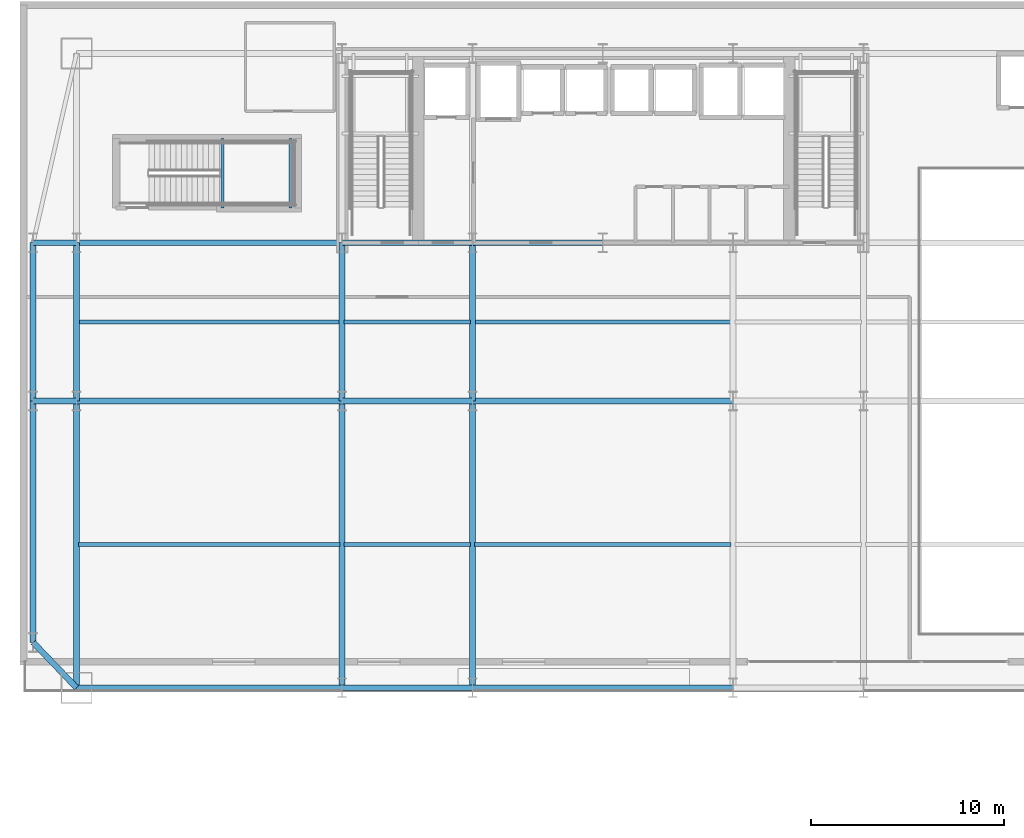
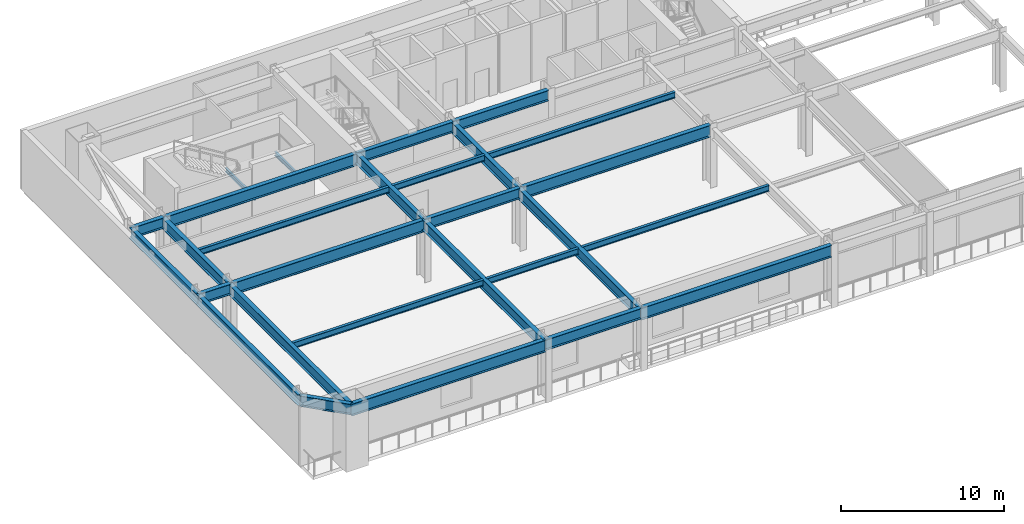
# One storey, part 3 of 35: 28 beams.
"""IFC4 building model written with IfcOpenShell, lengths in metres."""

from ifc_helpers import new_model, si_unit, direction, frame, origin, origin_2d, place, context, subcontext, project, spatial, i_section, extrude, material, material_profile, profile_set, type_object, element, save


model = new_model("IFC4")

# Units and contexts
model_context = context("Model", 3, precision=1e-05, world=origin(), true_north=direction((0.0, 1.0)))
body_context = subcontext(model_context, "Body", "Model", "MODEL_VIEW")
ifc_project = project(units=[si_unit("LENGTHUNIT", "METRE"), si_unit("AREAUNIT", "SQUARE_METRE"), si_unit("VOLUMEUNIT", "CUBIC_METRE"), si_unit("PLANEANGLEUNIT", "RADIAN"), si_unit("MASSUNIT", "GRAM", prefix="KILO")], contexts=[model_context])

# Site, building, storey
site_placement = place(None, origin())
site = spatial("IfcSite", under=ifc_project, at=site_placement, CompositionType="ELEMENT")
building_placement = place(site_placement, origin())
building = spatial("IfcBuilding", under=site, at=building_placement, Name="Haevon Station Towers", CompositionType="ELEMENT")
storey_placement = place(building_placement, frame((0.0, 0.0, 20.39990234375)))
storey = spatial("IfcBuildingStorey", under=building, at=storey_placement, Name="L04", CompositionType="ELEMENT", Elevation=20.39990234375)

# Beams
ifc_material = material(Name="Steel S355", Category="steel")
ifc_material_profile_1 = material_profile(ifc_material, i_section(OverallWidth=0.199951171875, OverallDepth=0.449951171875, WebThickness=0.009033203125, FlangeThickness=0.013916015625, at=origin_2d()), Name="H-450x200x9x14")
ifc_profile_set_1 = profile_set([ifc_material_profile_1], Name="Steel S355")
beam_type_1 = type_object("IfcBeamType", Name="BM-J450", PredefinedType="JOIST", material=ifc_profile_set_1)
beam_1_placement = place(storey_placement, frame((10.360107421875, 22.574951171875, 4.22509765625), z_axis=(1.0, 0.0, 0.0), x_axis=(0.0, 1.0, 0.0)))
element("IfcBeam", 1, at=beam_1_placement, inside=storey, type_object=beam_type_1, Name="BM-T1J-L04-01-01", PredefinedType="JOIST", context=body_context, shape_type="SweptSolid", body=[
    extrude(i_section(OverallWidth=0.199951171875, OverallDepth=0.449951171875, WebThickness=0.009033203125, FlangeThickness=0.013916015625, at=origin_2d()), origin(), (0.0, 0.0, 1.0), 13.52978515625),
])
beam_2_placement = place(storey_placement, frame((24.110107421875, 22.574951171875, 4.22509765625), z_axis=(1.0, 0.0, 0.0), x_axis=(0.0, 1.0, 0.0)))
element("IfcBeam", 2, at=beam_2_placement, inside=storey, type_object=beam_type_1, Name="BM-T1J-L04-01-02", PredefinedType="JOIST", context=body_context, shape_type="SweptSolid", body=[
    extrude(i_section(OverallWidth=0.199951171875, OverallDepth=0.449951171875, WebThickness=0.009033203125, FlangeThickness=0.013916015625, at=origin_2d()), origin(), (0.0, 0.0, 1.0), 6.52978515625),
])
beam_3_placement = place(storey_placement, frame((30.860107421875, 22.574951171875, 4.22509765625), z_axis=(1.0, 0.0, 0.0), x_axis=(0.0, 1.0, 0.0)))
element("IfcBeam", 3, at=beam_3_placement, inside=storey, type_object=beam_type_1, Name="BM-T1J-L04-01-03", PredefinedType="JOIST", context=body_context, shape_type="SweptSolid", body=[
    extrude(i_section(OverallWidth=0.199951171875, OverallDepth=0.449951171875, WebThickness=0.009033203125, FlangeThickness=0.013916015625, at=origin_2d()), origin(), (0.0, 0.0, 1.0), 13.27978515625),
])
beam_4_placement = place(storey_placement, frame((10.360107421875, 34.10009765625, 4.22509765625), z_axis=(1.0, 0.0, 0.0), x_axis=(0.0, 1.0, 0.0)))
element("IfcBeam", 4, at=beam_4_placement, inside=storey, type_object=beam_type_1, Name="BM-T1J-L04-02-01", PredefinedType="JOIST", context=body_context, shape_type="SweptSolid", body=[
    extrude(i_section(OverallWidth=0.199951171875, OverallDepth=0.449951171875, WebThickness=0.009033203125, FlangeThickness=0.013916015625, at=origin_2d()), origin(), (0.0, 0.0, 1.0), 13.52978515625),
])
beam_5_placement = place(storey_placement, frame((24.110107421875, 34.10009765625, 4.22509765625), z_axis=(1.0, 0.0, 0.0), x_axis=(0.0, 1.0, 0.0)))
element("IfcBeam", 5, at=beam_5_placement, inside=storey, type_object=beam_type_1, Name="BM-T1J-L04-02-02", PredefinedType="JOIST", context=body_context, shape_type="SweptSolid", body=[
    extrude(i_section(OverallWidth=0.199951171875, OverallDepth=0.449951171875, WebThickness=0.009033203125, FlangeThickness=0.013916015625, at=origin_2d()), origin(), (0.0, 0.0, 1.0), 6.52978515625),
])
beam_6_placement = place(storey_placement, frame((30.860107421875, 34.10009765625, 4.22509765625), z_axis=(1.0, 0.0, 0.0), x_axis=(0.0, 1.0, 0.0)))
element("IfcBeam", 6, at=beam_6_placement, inside=storey, type_object=beam_type_1, Name="BM-T1J-L04-02-03", PredefinedType="JOIST", context=body_context, shape_type="SweptSolid", body=[
    extrude(i_section(OverallWidth=0.199951171875, OverallDepth=0.449951171875, WebThickness=0.009033203125, FlangeThickness=0.013916015625, at=origin_2d()), origin(), (0.0, 0.0, 1.0), 13.27978515625),
])
ifc_material_profile_2 = material_profile(ifc_material, i_section(OverallWidth=0.14990234375, OverallDepth=0.300048828125, WebThickness=0.006591796875, FlangeThickness=0.009033203125, at=origin_2d()), Name="H-300x150x6.5x9")
ifc_profile_set_2 = profile_set([ifc_material_profile_2], Name="Steel S355")
beam_type_2 = type_object("IfcBeamType", Name="BM-LIN300", PredefinedType="LINTEL", material=ifc_profile_set_2)
for number, where, z_axis, x_axis, name in (
    (7, (17.81396484375, 40.0, 2.050048828125), (0.0, 1.0, 0.0), (-1.0, 0.0, 0.0), "BM-ST5L-L04-1-W"),
    (8, (21.320068359375, 40.0, 2.050048828125), (0.0, 1.0, 0.0), (-1.0, 0.0, 0.0), "BM-ST5L-L04-1-E"),
):
    element("IfcBeam", number, at=place(storey_placement, frame(where, z_axis=z_axis, x_axis=x_axis)), inside=storey, type_object=beam_type_2, Name=name, PredefinedType="LINTEL", context=body_context, shape_type="SweptSolid", body=[
        extrude(i_section(OverallWidth=0.14990234375, OverallDepth=0.300048828125, WebThickness=0.006591796875, FlangeThickness=0.009033203125, at=origin_2d()), origin(), (0.0, 0.0, 1.0), 3.60009765625),
    ])
ifc_material_profile_3 = material_profile(ifc_material, i_section(OverallWidth=0.300048828125, OverallDepth=0.800048828125, WebThickness=0.013916015625, FlangeThickness=0.02587890625, at=origin_2d()), Name="H-800x300x14x26")
ifc_profile_set_3 = profile_set([ifc_material_profile_3], Name="Steel S355")
beam_type_3 = type_object("IfcBeamType", Name="BM-PG800", PredefinedType="BEAM", material=ifc_profile_set_3)
for number, where, z_axis, x_axis, name in (
    (9, (24.0, 15.14990234375, 4.050048828125), (1.0, 0.0, 0.0), (0.0, 1.0, 0.0), "BM-T1X-L04-01-02"),
    (10, (24.0, 30.0, 4.050048828125), (1.0, 0.0, 0.0), (0.0, 1.0, 0.0), "BM-T1X-L04-02-02"),
    (11, (24.0, 38.199951171875, 4.050048828125), (1.0, 0.0, 0.0), (0.0, 1.0, 0.0), "BM-T1X-L04-03-02"),
    (12, (30.75, 38.199951171875, 4.050048828125), (1.0, 0.0, 0.0), (0.0, 1.0, 0.0), "BM-T1X-L04-03-03"),
):
    element("IfcBeam", number, at=place(storey_placement, frame(where, z_axis=z_axis, x_axis=x_axis)), inside=storey, type_object=beam_type_3, Name=name, PredefinedType="BEAM", context=body_context, shape_type="SweptSolid", body=[
        extrude(i_section(OverallWidth=0.300048828125, OverallDepth=0.800048828125, WebThickness=0.013916015625, FlangeThickness=0.02587890625, at=origin_2d()), origin(), (0.0, 0.0, 1.0), 6.75),
    ])
beam_7_placement = place(storey_placement, frame((10.25, 15.14990234375, 4.050048828125), z_axis=(0.0, 1.0, 0.0), x_axis=(-1.0, 0.0, 0.0)))
element("IfcBeam", 13, at=beam_7_placement, inside=storey, type_object=beam_type_3, Name="BM-T1Y-L04-01-01", PredefinedType="BEAM", context=body_context, shape_type="SweptSolid", body=[
    extrude(i_section(OverallWidth=0.300048828125, OverallDepth=0.800048828125, WebThickness=0.013916015625, FlangeThickness=0.02587890625, at=origin_2d()), origin(), (0.0, 0.0, 1.0), 14.85009765625),
])
beam_8_placement = place(storey_placement, frame((10.25, 30.0, 4.050048828125), z_axis=(0.0, 1.0, 0.0), x_axis=(-1.0, 0.0, 0.0)))
element("IfcBeam", 14, at=beam_8_placement, inside=storey, type_object=beam_type_3, Name="BM-T1Y-L04-01-02", PredefinedType="BEAM", context=body_context, shape_type="SweptSolid", body=[
    extrude(i_section(OverallWidth=0.300048828125, OverallDepth=0.800048828125, WebThickness=0.013916015625, FlangeThickness=0.02587890625, at=origin_2d()), origin(), (0.0, 0.0, 1.0), 8.199951171875),
])
beam_9_placement = place(storey_placement, frame((24.0, 15.14990234375, 4.050048828125), z_axis=(0.0, 1.0, 0.0), x_axis=(-1.0, 0.0, 0.0)))
element("IfcBeam", 15, at=beam_9_placement, inside=storey, type_object=beam_type_3, Name="BM-T1Y-L04-02-01", PredefinedType="BEAM", context=body_context, shape_type="SweptSolid", body=[
    extrude(i_section(OverallWidth=0.300048828125, OverallDepth=0.800048828125, WebThickness=0.013916015625, FlangeThickness=0.02587890625, at=origin_2d()), origin(), (0.0, 0.0, 1.0), 14.85009765625),
])
beam_10_placement = place(storey_placement, frame((24.0, 30.0, 4.050048828125), z_axis=(0.0, 1.0, 0.0), x_axis=(-1.0, 0.0, 0.0)))
element("IfcBeam", 16, at=beam_10_placement, inside=storey, type_object=beam_type_3, Name="BM-T1Y-L04-02-02", PredefinedType="BEAM", context=body_context, shape_type="SweptSolid", body=[
    extrude(i_section(OverallWidth=0.300048828125, OverallDepth=0.800048828125, WebThickness=0.013916015625, FlangeThickness=0.02587890625, at=origin_2d()), origin(), (0.0, 0.0, 1.0), 8.199951171875),
])
beam_11_placement = place(storey_placement, frame((30.75, 15.14990234375, 4.050048828125), z_axis=(0.0, 1.0, 0.0), x_axis=(-1.0, 0.0, 0.0)))
element("IfcBeam", 17, at=beam_11_placement, inside=storey, type_object=beam_type_3, Name="BM-T1Y-L04-03-01", PredefinedType="BEAM", context=body_context, shape_type="SweptSolid", body=[
    extrude(i_section(OverallWidth=0.300048828125, OverallDepth=0.800048828125, WebThickness=0.013916015625, FlangeThickness=0.02587890625, at=origin_2d()), origin(), (0.0, 0.0, 1.0), 14.85009765625),
])
beam_12_placement = place(storey_placement, frame((30.75, 30.0, 4.050048828125), z_axis=(0.0, 1.0, 0.0), x_axis=(-1.0, 0.0, 0.0)))
element("IfcBeam", 18, at=beam_12_placement, inside=storey, type_object=beam_type_3, Name="BM-T1Y-L04-03-02", PredefinedType="BEAM", context=body_context, shape_type="SweptSolid", body=[
    extrude(i_section(OverallWidth=0.300048828125, OverallDepth=0.800048828125, WebThickness=0.013916015625, FlangeThickness=0.02587890625, at=origin_2d()), origin(), (0.0, 0.0, 1.0), 8.199951171875),
])
beam_13_placement = place(storey_placement, frame((8.0, 17.5, 4.050048828125), z_axis=(0.691556505419, -0.722322365577, 0.0), x_axis=(0.722322365577, 0.691556505419, 0.0)))
element("IfcBeam", 19, at=beam_13_placement, inside=storey, type_object=beam_type_3, Name="BM-PODW-L04-1", PredefinedType="BEAM", context=body_context, shape_type="SweptSolid", body=[
    extrude(i_section(OverallWidth=0.300048828125, OverallDepth=0.800048828125, WebThickness=0.013916015625, FlangeThickness=0.02587890625, at=origin_2d()), origin(), (0.0, 0.0, 1.0), 3.25341796875),
])
for number, where, z_axis, x_axis, name in (
    (20, (8.0, 30.0, 4.050048828125), (1.0, 0.0, 0.0), (0.0, 1.0, 0.0), "BM-PODW-L04-2"),
    (21, (8.0, 38.199951171875, 4.050048828125), (1.0, 0.0, 0.0), (0.0, 1.0, 0.0), "BM-PODW-L04-3"),
):
    element("IfcBeam", number, at=place(storey_placement, frame(where, z_axis=z_axis, x_axis=x_axis)), inside=storey, type_object=beam_type_3, Name=name, PredefinedType="BEAM", context=body_context, shape_type="SweptSolid", body=[
        extrude(i_section(OverallWidth=0.300048828125, OverallDepth=0.800048828125, WebThickness=0.013916015625, FlangeThickness=0.02587890625, at=origin_2d()), origin(), (0.0, 0.0, 1.0), 2.25),
    ])
beam_14_placement = place(storey_placement, frame((8.0, 17.5, 4.050048828125), z_axis=(0.0, 1.0, 0.0), x_axis=(-1.0, 0.0, 0.0)))
element("IfcBeam", 22, at=beam_14_placement, inside=storey, type_object=beam_type_3, Name="BM-PODNS-L04-W1", PredefinedType="BEAM", context=body_context, shape_type="SweptSolid", body=[
    extrude(i_section(OverallWidth=0.300048828125, OverallDepth=0.800048828125, WebThickness=0.013916015625, FlangeThickness=0.02587890625, at=origin_2d()), origin(), (0.0, 0.0, 1.0), 12.5),
])
beam_15_placement = place(storey_placement, frame((8.0, 30.0, 4.050048828125), z_axis=(0.0, 1.0, 0.0), x_axis=(-1.0, 0.0, 0.0)))
element("IfcBeam", 23, at=beam_15_placement, inside=storey, type_object=beam_type_3, Name="BM-PODNS-L04-W2", PredefinedType="BEAM", context=body_context, shape_type="SweptSolid", body=[
    extrude(i_section(OverallWidth=0.300048828125, OverallDepth=0.800048828125, WebThickness=0.013916015625, FlangeThickness=0.02587890625, at=origin_2d()), origin(), (0.0, 0.0, 1.0), 8.199951171875),
])
ifc_material_profile_4 = material_profile(ifc_material, i_section(OverallWidth=0.300048828125, OverallDepth=0.89990234375, WebThickness=0.01611328125, FlangeThickness=0.028076171875, at=origin_2d()), Name="H-900x300x16x28")
ifc_profile_set_4 = profile_set([ifc_material_profile_4], Name="Steel S355")
beam_type_4 = type_object("IfcBeamType", Name="BM-PG900", PredefinedType="BEAM", material=ifc_profile_set_4)
beam_16_placement = place(storey_placement, frame((10.25, 15.14990234375, 4.0), z_axis=(1.0, 0.0, 0.0), x_axis=(0.0, 1.0, 0.0)))
element("IfcBeam", 24, at=beam_16_placement, inside=storey, type_object=beam_type_4, Name="BM-T1X-L04-01-01", PredefinedType="BEAM", context=body_context, shape_type="SweptSolid", body=[
    extrude(i_section(OverallWidth=0.300048828125, OverallDepth=0.89990234375, WebThickness=0.01611328125, FlangeThickness=0.028076171875, at=origin_2d()), origin(), (0.0, 0.0, 1.0), 13.75),
])
beam_17_placement = place(storey_placement, frame((30.75, 15.14990234375, 4.0), z_axis=(1.0, 0.0, 0.0), x_axis=(0.0, 1.0, 0.0)))
element("IfcBeam", 25, at=beam_17_placement, inside=storey, type_object=beam_type_4, Name="BM-T1X-L04-01-03", PredefinedType="BEAM", context=body_context, shape_type="SweptSolid", body=[
    extrude(i_section(OverallWidth=0.300048828125, OverallDepth=0.89990234375, WebThickness=0.01611328125, FlangeThickness=0.028076171875, at=origin_2d()), origin(), (0.0, 0.0, 1.0), 13.5),
])
beam_18_placement = place(storey_placement, frame((10.25, 30.0, 4.0), z_axis=(1.0, 0.0, 0.0), x_axis=(0.0, 1.0, 0.0)))
element("IfcBeam", 26, at=beam_18_placement, inside=storey, type_object=beam_type_4, Name="BM-T1X-L04-02-01", PredefinedType="BEAM", context=body_context, shape_type="SweptSolid", body=[
    extrude(i_section(OverallWidth=0.300048828125, OverallDepth=0.89990234375, WebThickness=0.01611328125, FlangeThickness=0.028076171875, at=origin_2d()), origin(), (0.0, 0.0, 1.0), 13.75),
])
beam_19_placement = place(storey_placement, frame((30.75, 30.0, 4.0), z_axis=(1.0, 0.0, 0.0), x_axis=(0.0, 1.0, 0.0)))
element("IfcBeam", 27, at=beam_19_placement, inside=storey, type_object=beam_type_4, Name="BM-T1X-L04-02-03", PredefinedType="BEAM", context=body_context, shape_type="SweptSolid", body=[
    extrude(i_section(OverallWidth=0.300048828125, OverallDepth=0.89990234375, WebThickness=0.01611328125, FlangeThickness=0.028076171875, at=origin_2d()), origin(), (0.0, 0.0, 1.0), 13.5),
])
beam_20_placement = place(storey_placement, frame((10.25, 38.199951171875, 4.0), z_axis=(1.0, 0.0, 0.0), x_axis=(0.0, 1.0, 0.0)))
element("IfcBeam", 28, at=beam_20_placement, inside=storey, type_object=beam_type_4, Name="BM-T1X-L04-03-01", PredefinedType="BEAM", context=body_context, shape_type="SweptSolid", body=[
    extrude(i_section(OverallWidth=0.300048828125, OverallDepth=0.89990234375, WebThickness=0.01611328125, FlangeThickness=0.028076171875, at=origin_2d()), origin(), (0.0, 0.0, 1.0), 13.75),
])

save(model, "model.ifc")
